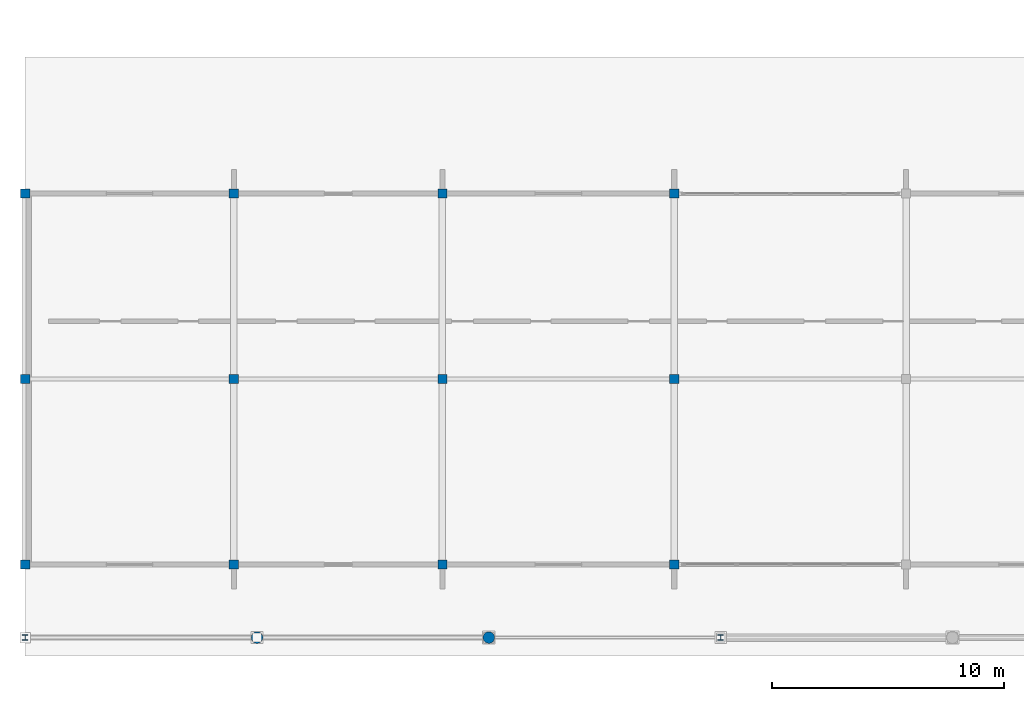
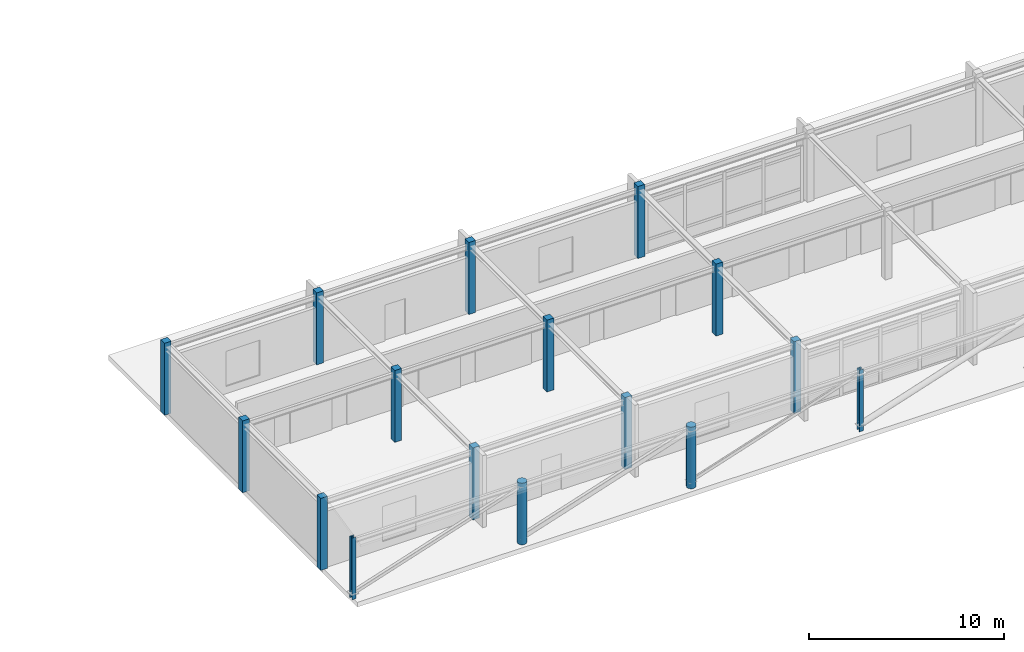
# One storey, part 1 of 61: 16 columns.
"""IFC4 building model written with IfcOpenShell, lengths in metres."""

from ifc_helpers import new_model, si_unit, direction, frame, origin, origin_2d, place, context, subcontext, project, spatial, rectangle, circle, i_section, extrude, material, material_profile, profile_set, type_object, element, save


model = new_model("IFC4")

# Units and contexts
model_context = context("Model", 3, precision=1e-05, world=origin(), true_north=direction((0.0, 1.0)))
body_context = subcontext(model_context, "Body", "Model", "MODEL_VIEW")
ifc_project = project(units=[si_unit("LENGTHUNIT", "METRE"), si_unit("AREAUNIT", "SQUARE_METRE"), si_unit("VOLUMEUNIT", "CUBIC_METRE"), si_unit("PLANEANGLEUNIT", "RADIAN"), si_unit("MASSUNIT", "GRAM", prefix="KILO")], contexts=[model_context])

# Site, building, storey
site_placement = place(None, origin())
site = spatial("IfcSite", under=ifc_project, at=site_placement, CompositionType="ELEMENT")
building_placement = place(site_placement, origin())
building = spatial("IfcBuilding", under=site, at=building_placement, Name="Zimvara Arc Housing Community", CompositionType="ELEMENT")
storey_placement = place(building_placement, origin())
storey = spatial("IfcBuildingStorey", under=building, at=storey_placement, Name="L00", CompositionType="ELEMENT", Elevation=0.0)

# Columns
ifc_material_1 = material(Name="Concrete C40/50", Category="concrete")
ifc_material_profile_1 = material_profile(ifc_material_1, rectangle(XDim=0.39990234375, YDim=0.39990234375, at=origin_2d()), Name="RC 400x400")
ifc_profile_set_1 = profile_set([ifc_material_profile_1], Name="Concrete C40/50")
column_type_1 = type_object("IfcColumnType", Name="COL-RC-400x400", PredefinedType="COLUMN", material=ifc_profile_set_1)
for number, where, z_axis, x_axis, name in (
    (1, (0.0, 3.60009765625, 0.0), (0.0, 0.0, 1.0), (1.0, 0.0, 0.0), "col:shops:L00:x0:y0"),
    (2, (0.0, 11.60009765625, 0.0), (0.0, 0.0, 1.0), (1.0, 0.0, 0.0), "col:shops:L00:x0:y1"),
    (3, (0.0, 19.60009765625, 0.0), (0.0, 0.0, 1.0), (1.0, 0.0, 0.0), "col:shops:L00:x0:y2"),
    (4, (9.0, 3.60009765625, 0.0), (0.0, 0.0, 1.0), (1.0, 0.0, 0.0), "col:shops:L00:x1:y0"),
    (5, (9.0, 11.60009765625, 0.0), (0.0, 0.0, 1.0), (1.0, 0.0, 0.0), "col:shops:L00:x1:y1"),
    (6, (9.0, 19.60009765625, 0.0), (0.0, 0.0, 1.0), (1.0, 0.0, 0.0), "col:shops:L00:x1:y2"),
    (7, (18.0, 3.60009765625, 0.0), (0.0, 0.0, 1.0), (1.0, 0.0, 0.0), "col:shops:L00:x2:y0"),
    (8, (18.0, 11.60009765625, 0.0), (0.0, 0.0, 1.0), (1.0, 0.0, 0.0), "col:shops:L00:x2:y1"),
    (9, (18.0, 19.60009765625, 0.0), (0.0, 0.0, 1.0), (1.0, 0.0, 0.0), "col:shops:L00:x2:y2"),
    (10, (28.0, 3.60009765625, 0.0), (0.0, 0.0, 1.0), (1.0, 0.0, 0.0), "col:shops:L00:x3:y0"),
    (11, (28.0, 11.60009765625, 0.0), (0.0, 0.0, 1.0), (1.0, 0.0, 0.0), "col:shops:L00:x3:y1"),
    (12, (28.0, 19.60009765625, 0.0), (0.0, 0.0, 1.0), (1.0, 0.0, 0.0), "col:shops:L00:x3:y2"),
):
    element("IfcColumn", number, at=place(storey_placement, frame(where, z_axis=z_axis, x_axis=x_axis)), inside=storey, type_object=column_type_1, Name=name, PredefinedType="COLUMN", context=body_context, shape_type="SweptSolid", body=[
        extrude(rectangle(XDim=0.39990234375, YDim=0.39990234375, at=origin_2d()), origin(), (0.0, 0.0, 1.0), 4.5),
    ])
ifc_material_2 = material(Name="Concrete C40/50", Category="concrete")
ifc_material_profile_2 = material_profile(ifc_material_2, circle(Radius=0.25, at=origin_2d()), Name="RC D500")
ifc_profile_set_2 = profile_set([ifc_material_profile_2], Name="Concrete C40/50")
column_type_2 = type_object("IfcColumnType", Name="COL-RC-D500", PredefinedType="COLUMN", material=ifc_profile_set_2)
for number, where, z_axis, x_axis, name in (
    (13, (10.0, 0.449951171875, 0.0), (0.0, 0.0, 1.0), (1.0, 0.0, 0.0), "col:colonnade:L00:1"),
    (14, (20.0, 0.449951171875, 0.0), (0.0, 0.0, 1.0), (1.0, 0.0, 0.0), "col:colonnade:L00:2"),
):
    element("IfcColumn", number, at=place(storey_placement, frame(where, z_axis=z_axis, x_axis=x_axis)), inside=storey, type_object=column_type_2, Name=name, PredefinedType="COLUMN", context=body_context, shape_type="SweptSolid", body=[
        extrude(circle(Radius=0.25, at=origin_2d()), origin(), (0.0, 0.0, 1.0), 3.85009765625),
    ])
ifc_material_3 = material(Name="Steel S355", Category="steel")
ifc_material_profile_3 = material_profile(ifc_material_3, i_section(OverallWidth=0.239990234375, OverallDepth=0.239990234375, WebThickness=0.010009765625, FlangeThickness=0.01708984375, FilletRadius=0.02099609375, at=origin_2d()), Name="HEB 240")
ifc_profile_set_3 = profile_set([ifc_material_profile_3], Name="Steel S355")
column_type_3 = type_object("IfcColumnType", Name="COL-ST-HEB240", PredefinedType="COLUMN", material=ifc_profile_set_3)
for number, where, z_axis, x_axis, name in (
    (15, (0.0, 0.449951171875, 0.0), (0.0, 0.0, 1.0), (1.0, 0.0, 0.0), "col:colonnade:L00:0"),
    (16, (30.0, 0.449951171875, 0.0), (0.0, 0.0, 1.0), (1.0, 0.0, 0.0), "col:colonnade:L00:3"),
):
    element("IfcColumn", number, at=place(storey_placement, frame(where, z_axis=z_axis, x_axis=x_axis)), inside=storey, type_object=column_type_3, Name=name, PredefinedType="COLUMN", context=body_context, shape_type="SweptSolid", body=[
        extrude(i_section(OverallWidth=0.239990234375, OverallDepth=0.239990234375, WebThickness=0.010009765625, FlangeThickness=0.01708984375, FilletRadius=0.02099609375, at=origin_2d()), origin(), (0.0, 0.0, 1.0), 3.85009765625),
    ])

save(model, "model.ifc")
